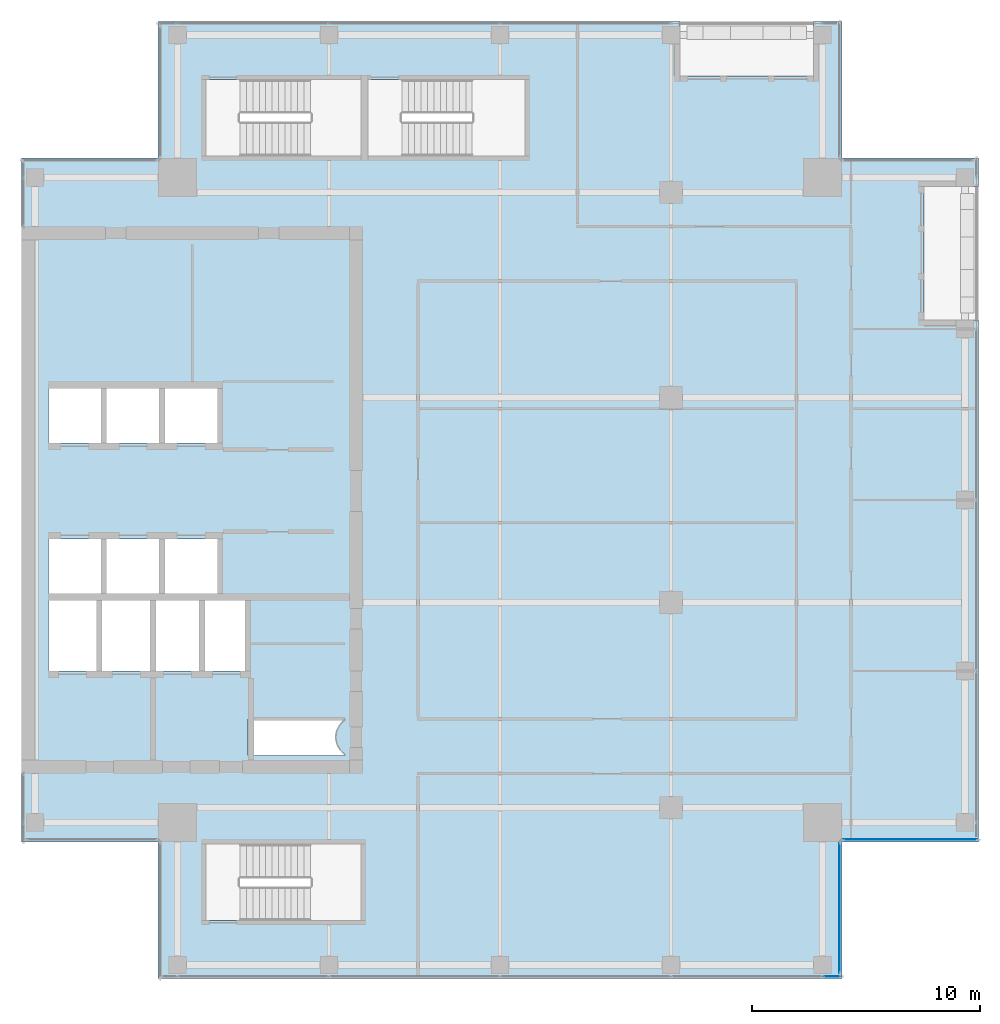
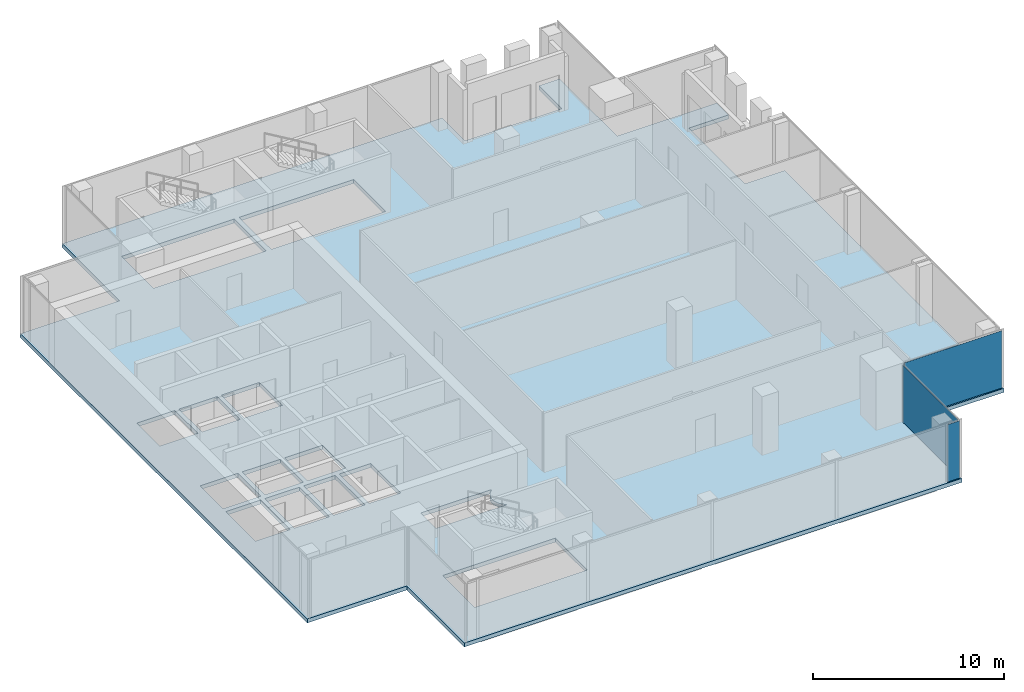
# One storey, part 21 of 29: 3 plates, 1 slab, 3 elements without a shape of their own.
"""IFC4 building model written with IfcOpenShell, lengths in metres."""

from ifc_helpers import new_model, si_unit, direction, frame, origin, origin_2d, place, context, subcontext, project, spatial, polyline, rectangle, outline, extrude, source, transform, mapped, material, layer, layer_set, type_object, element, aggregate, save


model = new_model("IFC4")

# Units and contexts
model_context = context("Model", 3, precision=1e-05, world=origin(), true_north=direction((0.0, 1.0)))
body_context = subcontext(model_context, "Body", "Model", "MODEL_VIEW")
ifc_project = project(units=[si_unit("LENGTHUNIT", "METRE"), si_unit("AREAUNIT", "SQUARE_METRE"), si_unit("VOLUMEUNIT", "CUBIC_METRE"), si_unit("PLANEANGLEUNIT", "RADIAN"), si_unit("MASSUNIT", "GRAM", prefix="KILO")], contexts=[model_context])

# Site, building, storey
site_placement = place(None, origin())
site = spatial("IfcSite", under=ifc_project, at=site_placement, CompositionType="ELEMENT")
building_placement = place(site_placement, origin())
building = spatial("IfcBuilding", under=site, at=building_placement, Name="Khomas Fold Tower", CompositionType="ELEMENT")
storey_placement = place(building_placement, frame((0.0, 0.0, 310.199951171875)))
storey = spatial("IfcBuildingStorey", under=building, at=storey_placement, Name="L70", CompositionType="ELEMENT", Elevation=310.199951171875)

# Slab
ifc_material_1 = material(Name="Concrete C40/50", Category="concrete")
ifc_layer_1 = layer(ifc_material_1, 0.25)
ifc_layer_set_1 = layer_set([ifc_layer_1], Name="Concrete C40/50")
slab_type = type_object("IfcSlabType", Name="RC floor slab 250", PredefinedType="FLOOR", material=ifc_layer_set_1)
shared_shape_1 = source(origin(), body_context, "Body", "SweptSolid", [
    extrude(outline(polyline([(6.0, 12.0), (12.0, 12.0), (12.0, 6.0), (42.0, 6.0), (42.0, 12.0), (48.0, 12.0), (48.0, 34.89990234375), (45.60009765625, 34.89990234375), (45.60009765625, 40.75), (48.0, 40.75), (48.0, 42.0), (42.0, 42.0), (42.0, 48.0), (40.75, 48.0), (40.75, 45.60009765625), (34.89990234375, 45.60009765625), (34.89990234375, 48.0), (12.0, 48.0), (12.0, 42.0), (6.0, 42.0), (6.0, 12.0)]), holes=[polyline([(7.199951171875, 19.5), (7.199951171875, 22.60009765625), (9.300048828125, 22.60009765625), (9.300048828125, 19.5), (7.199951171875, 19.5)]), polyline([(7.199951171875, 22.89990234375), (7.199951171875, 25.300048828125), (9.5, 25.300048828125), (9.5, 22.89990234375), (7.199951171875, 22.89990234375)]), polyline([(7.199951171875, 29.5), (7.199951171875, 31.89990234375), (9.5, 31.89990234375), (9.5, 29.5), (7.199951171875, 29.5)]), polyline([(9.550048828125, 19.5), (9.550048828125, 22.60009765625), (11.64990234375, 22.60009765625), (11.64990234375, 19.5), (9.550048828125, 19.5)]), polyline([(9.75, 22.89990234375), (9.75, 25.300048828125), (12.050048828125, 25.300048828125), (12.050048828125, 22.89990234375), (9.75, 22.89990234375)]), polyline([(9.75, 29.5), (9.75, 31.89990234375), (12.050048828125, 31.89990234375), (12.050048828125, 29.5), (9.75, 29.5)]), polyline([(11.89990234375, 19.5), (11.89990234375, 22.60009765625), (13.800048828125, 22.60009765625), (13.800048828125, 19.5), (11.89990234375, 19.5)]), polyline([(12.300048828125, 22.89990234375), (12.300048828125, 25.300048828125), (14.60009765625, 25.300048828125), (14.60009765625, 22.89990234375), (12.300048828125, 22.89990234375)]), polyline([(12.300048828125, 29.5), (12.300048828125, 31.89990234375), (14.60009765625, 31.89990234375), (14.60009765625, 29.5), (12.300048828125, 29.5)]), polyline([(14.050048828125, 19.5), (14.050048828125, 22.60009765625), (15.949951171875, 22.60009765625), (15.949951171875, 19.5), (14.050048828125, 19.5)]), polyline([(14.10009765625, 8.550048828125), (14.10009765625, 11.89990234375), (20.89990234375, 11.89990234375), (20.89990234375, 8.550048828125), (14.10009765625, 8.550048828125)]), polyline([(14.10009765625, 42.10009765625), (14.10009765625, 45.449951171875), (20.89990234375, 45.449951171875), (20.89990234375, 42.10009765625), (14.10009765625, 42.10009765625)]), polyline([(15.949951171875, 15.800048828125), (15.949951171875, 17.39990234375), (20.199951171875, 17.39990234375), (20.199951171875, 17.348388671875), (20.199951171875, 17.348388671875), (20.12890625, 17.295654296875), (20.063720703125, 17.236328125), (20.00439453125, 17.1708984375), (19.95166015625, 17.10009765625), (19.90625, 17.0244140625), (19.868408203125, 16.9443359375), (19.8388671875, 16.861328125), (19.8173828125, 16.775634765625), (19.80419921875, 16.688232421875), (19.800048828125, 16.60009765625), (19.80419921875, 16.51171875), (19.8173828125, 16.42431640625), (19.8388671875, 16.338623046875), (19.868408203125, 16.255615234375), (19.90625, 16.17578125), (19.95166015625, 16.10009765625), (20.00439453125, 16.029052734375), (20.063720703125, 15.963623046875), (20.12890625, 15.904296875), (20.199951171875, 15.851806640625), (20.199951171875, 15.851806640625), (20.199951171875, 15.800048828125), (15.949951171875, 15.800048828125)]), polyline([(21.199951171875, 42.10009765625), (21.199951171875, 45.449951171875), (28.10009765625, 45.449951171875), (28.10009765625, 42.10009765625), (21.199951171875, 42.10009765625)])]), origin(), (0.0, 0.0, 1.0), 0.25),
])
slab_placement = place(storey_placement, frame((0.0, 0.0, -0.25)))
element("IfcSlab", 1, at=slab_placement, inside=storey, type_object=slab_type, Name="S-L70", PredefinedType="FLOOR", context=body_context, shape_type="MappedRepresentation", body=[
    mapped(shared_shape_1, transform((0.0, 0.0, 0.0))),
])

# Curtain wall, plate
ifc_material_2 = material(Name="Aluminium framed double glazing", Category="aluminium")
curtain_wall_type = type_object("IfcCurtainWallType", Name="SK-Unitised clear-glass wall, upper floors CW3", PredefinedType="NOTDEFINED", material=ifc_material_2)
curtain_wall_1_placement = place(storey_placement, origin())
curtain_wall_1 = element("IfcCurtainWall", 2, at=curtain_wall_1_placement, inside=storey, type_object=curtain_wall_type, Name="CW3 run L70 00-0", PredefinedType="NOTDEFINED")
ifc_material_3 = material(Name="Clear double glazed unit")
ifc_layer_2 = layer(ifc_material_3, 0.028076171875)
ifc_layer_set_2 = layer_set([ifc_layer_2], Name="Clear double glazed unit")
plate_type = type_object("IfcPlateType", Name="SK-Unitised clear-glass wall, upper floors glass panel CW3-P", PredefinedType="CURTAIN_PANEL", material=ifc_layer_set_2)
shared_shape_2 = source(origin(), body_context, "Body", "SweptSolid", [
    extrude(rectangle(XDim=0.77490234375, YDim=0.028076171875, at=origin_2d()), origin(), (0.0, 0.0, 1.0), 3.64990234375),
])
plate_1_placement = place(storey_placement, frame((41.5625, 6.10009765625, 0.0), z_axis=(0.0, 0.0, 1.0), x_axis=(1.0, 0.0, 0.0)))
plate_1 = element("IfcPlate", 3, at=plate_1_placement, type_object=plate_type, Name="CW3 glass panel 6", PredefinedType="CURTAIN_PANEL", context=body_context, shape_type="MappedRepresentation", body=[
    mapped(shared_shape_2, transform((0.0, 0.0, 0.0))),
])
aggregate(curtain_wall_1, [plate_1])

curtain_wall_2_placement = place(storey_placement, origin())
curtain_wall_2 = element("IfcCurtainWall", 4, at=curtain_wall_2_placement, inside=storey, type_object=curtain_wall_type, Name="CW3 corner return L70 01", PredefinedType="NOTDEFINED")
shared_shape_3 = source(origin(), body_context, "Body", "SweptSolid", [
    extrude(rectangle(XDim=5.699951171875, YDim=0.028076171875, at=origin_2d()), origin(), (0.0, 0.0, 1.0), 3.64990234375),
])
plate_2_placement = place(storey_placement, frame((41.89990234375, 9.10009765625, 0.0), z_axis=(0.0, 0.0, 1.0), x_axis=(0.0, 1.0, 0.0)))
plate_2 = element("IfcPlate", 5, at=plate_2_placement, type_object=plate_type, Name="CW3 glass panel 1", PredefinedType="CURTAIN_PANEL", context=body_context, shape_type="MappedRepresentation", body=[
    mapped(shared_shape_3, transform((0.0, 0.0, 0.0))),
])
aggregate(curtain_wall_2, [plate_2])

curtain_wall_3_placement = place(storey_placement, origin())
curtain_wall_3 = element("IfcCurtainWall", 6, at=curtain_wall_3_placement, inside=storey, type_object=curtain_wall_type, Name="CW3 corner return L70 02", PredefinedType="NOTDEFINED")
shared_shape_4 = source(origin(), body_context, "Body", "SweptSolid", [
    extrude(rectangle(XDim=5.89990234375, YDim=0.028076171875, at=origin_2d()), origin(), (0.0, 0.0, 1.0), 3.64990234375),
])
plate_3_placement = place(storey_placement, frame((45.0, 12.10009765625, 0.0), z_axis=(0.0, 0.0, 1.0), x_axis=(1.0, 0.0, 0.0)))
plate_3 = element("IfcPlate", 7, at=plate_3_placement, type_object=plate_type, Name="CW3 glass panel 1", PredefinedType="CURTAIN_PANEL", context=body_context, shape_type="MappedRepresentation", body=[
    mapped(shared_shape_4, transform((0.0, 0.0, 0.0))),
])
aggregate(curtain_wall_3, [plate_3])

save(model, "model.ifc")
